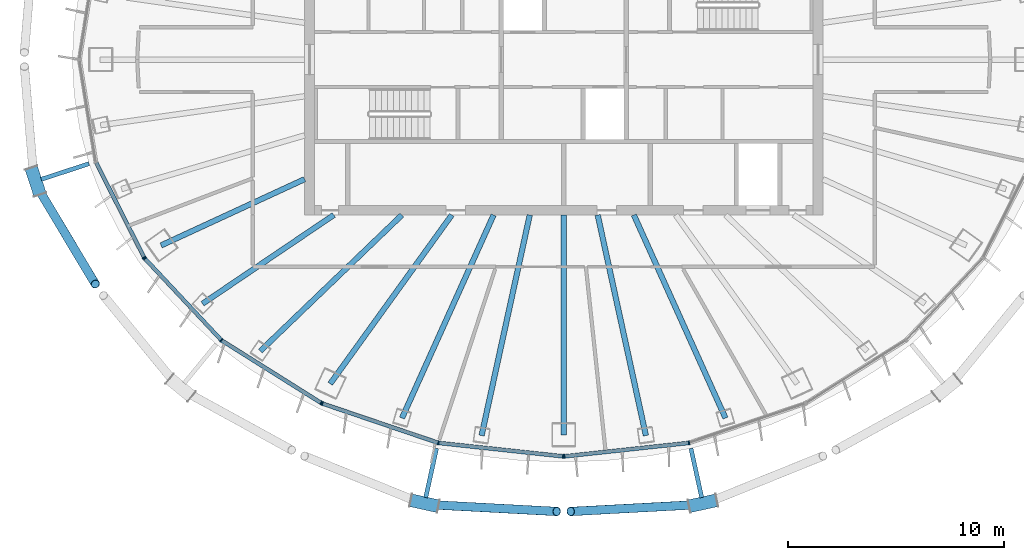
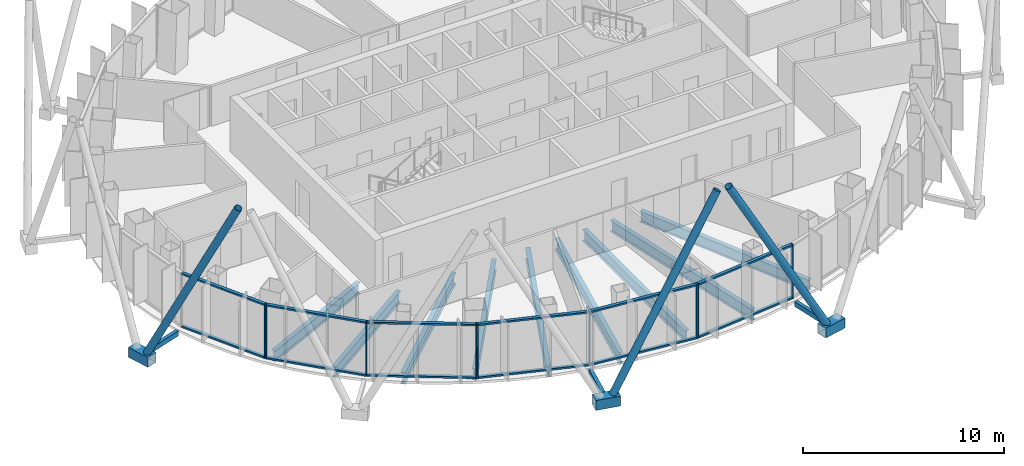
# One storey, part 2 of 18: 30 members, 9 beams, 4 elements without a shape of their own.
"""IFC4 building model written with IfcOpenShell, lengths in metres."""

import ifcopenshell
import ifcopenshell.guid

model = None  # the IFC model being written
_history = None  # IfcOwnerHistory: only IFC2X3 demands one
_inside = {}  # id of a spatial element -> (the spatial element, [elements in it])
_under = {}  # id of a project, library or spatial element -> (it, [spatial elements below it])
_declared = {}  # id of a project -> (the project, [libraries it declares])
_typed = {}  # id of a type object -> (the type object, [elements of that type])
_made_of = {}  # id of a material, layer set ... -> (it, [elements and type objects made of it])


def new_model(schema):
    """Start an empty IFC model of exactly this schema.

    Asked for "IFC4X3", IfcOpenShell would pick the latest addendum, in which some entities
    have other attributes; the version numbers below select the first issue.
    IFC2X3 requires an IfcOwnerHistory on every rooted entity: one is made here for all.
    """
    global model, _history
    if schema == "IFC4X3":
        model = ifcopenshell.file(schema_version=(4, 3, 0, 0))
    else:
        model = ifcopenshell.file(schema=schema)
    _inside.clear()
    _under.clear()
    _declared.clear()
    _typed.clear()
    _made_of.clear()
    _history = None
    if model.schema == "IFC2X3":
        org = make("IfcOrganization", Name="unknown")
        user = make(
            "IfcPersonAndOrganization",
            ThePerson=make("IfcPerson", FamilyName="unknown"),
            TheOrganization=org,
        )
        app = make(
            "IfcApplication",
            ApplicationDeveloper=org,
            Version="unknown",
            ApplicationFullName="unknown",
            ApplicationIdentifier="unknown",
        )
        _history = make(
            "IfcOwnerHistory",
            OwningUser=user,
            OwningApplication=app,
            ChangeAction="ADDED",
            CreationDate=0,
        )
    return model


def make(cls, **values):
    """One entity of the class cls with the attributes given. An attribute that is None is left unset."""
    return model.create_entity(
        cls, **{name: value for name, value in values.items() if value is not None}
    )


def rooted(cls, **values):
    """An entity with a GlobalId (a new one), such as an element, a storey or a relation."""
    return make(cls, GlobalId=ifcopenshell.guid.new(), OwnerHistory=_history, **values)


def si_unit(unit_type, name, prefix=None):
    """IfcSIUnit, for example si_unit("LENGTHUNIT", "METRE", prefix="MILLI")."""
    return make("IfcSIUnit", UnitType=unit_type, Prefix=prefix, Name=name)


def assignment(units):
    """IfcUnitAssignment: the units of a project."""
    return None if units is None else make("IfcUnitAssignment", Units=units)


def point(xyz):
    """IfcCartesianPoint."""
    return None if xyz is None else make("IfcCartesianPoint", Coordinates=xyz)


def direction(xyz):
    """IfcDirection."""
    return None if xyz is None else make("IfcDirection", DirectionRatios=xyz)


def frame(location, z_axis=None, x_axis=None):
    """IfcAxis2Placement3D, a coordinate frame: its origin and axes. An axis left out is left unset."""
    return make(
        "IfcAxis2Placement3D",
        Location=point(location),
        Axis=direction(z_axis),
        RefDirection=direction(x_axis),
    )


def frame_2d(location, x_axis=None):
    """IfcAxis2Placement2D, a coordinate frame in the plane: its origin and x axis."""
    return make(
        "IfcAxis2Placement2D", Location=point(location), RefDirection=direction(x_axis)
    )


def origin():
    """The frame at (0, 0, 0) with its axes left unset."""
    return frame((0.0, 0.0, 0.0))


def origin_2d():
    """The frame at (0, 0) in the plane with its x axis left unset."""
    return frame_2d((0.0, 0.0))


def place(relative_to, where):
    """IfcLocalPlacement: puts the frame where relative to a parent placement (None: the world)."""
    return make(
        "IfcLocalPlacement", PlacementRelTo=relative_to, RelativePlacement=where
    )


def context(
    kind, dimensions, precision=None, world=None, true_north=None, identifier=None
):
    """IfcGeometricRepresentationContext, for example the 3D "Model" context."""
    return make(
        "IfcGeometricRepresentationContext",
        ContextIdentifier=identifier,
        ContextType=kind,
        CoordinateSpaceDimension=dimensions,
        Precision=precision,
        WorldCoordinateSystem=world,
        TrueNorth=true_north,
    )


def subcontext(parent, identifier, kind, view, scale=None):
    """IfcGeometricRepresentationSubContext, for example "Body" below "Model"."""
    return make(
        "IfcGeometricRepresentationSubContext",
        ContextIdentifier=identifier,
        ContextType=kind,
        ParentContext=parent,
        TargetScale=scale,
        TargetView=view,
    )


def project(units=None, contexts=None):
    """IfcProject with its units and contexts."""
    return rooted(
        "IfcProject",
        Name="project",
        RepresentationContexts=contexts,
        UnitsInContext=assignment(units),
    )


def spatial(cls, under=None, at=None, **own):
    """A site, building, storey or space (cls), placed at a placement, below another one or the project."""
    s = rooted(cls, ObjectPlacement=at, **own)
    if under is not None:
        _under.setdefault(under.id(), (under, []))[1].append(s)
    return s


def profile(cls, at=None, kind="AREA", **sizes):
    """A parametric profile (cls). Its sizes go by their IFC names, for example OverallWidth=200.0."""
    return make(cls, ProfileType=kind, Position=at, **sizes)


def rectangle(**sizes):
    """IfcRectangleProfileDef."""
    return profile("IfcRectangleProfileDef", **sizes)


def hollow_rectangle(**sizes):
    """IfcRectangleHollowProfileDef."""
    return profile("IfcRectangleHollowProfileDef", **sizes)


def hollow_circle(**sizes):
    """IfcCircleHollowProfileDef."""
    return profile("IfcCircleHollowProfileDef", **sizes)


def i_section(**sizes):
    """IfcIShapeProfileDef."""
    return profile("IfcIShapeProfileDef", **sizes)


def extrude(swept, where, along, depth):
    """IfcExtrudedAreaSolid: the profile swept, set in the frame where, extruded along a direction by depth."""
    return make(
        "IfcExtrudedAreaSolid",
        SweptArea=swept,
        Position=where,
        ExtrudedDirection=direction(along),
        Depth=depth,
    )


def shape(context_of_items, identifier, shape_type, items):
    """IfcShapeRepresentation: the items that make up one representation, for example the "Body"."""
    return make(
        "IfcShapeRepresentation",
        ContextOfItems=context_of_items,
        RepresentationIdentifier=identifier,
        RepresentationType=shape_type,
        Items=items,
    )


def material(Name=None, Category=None):
    """IfcMaterial."""
    return make("IfcMaterial", Name=Name, Category=Category)


def layer(
    of_material, thickness, ventilated=None, Name=None, Category=None, Priority=None
):
    """IfcMaterialLayer: one layer of a wall or slab, of a material (None: an air gap)."""
    return make(
        "IfcMaterialLayer",
        Material=of_material,
        LayerThickness=thickness,
        IsVentilated=ventilated,
        Name=Name,
        Category=Category,
        Priority=Priority,
    )


def layer_set(layers, Name=None):
    """IfcMaterialLayerSet."""
    return make("IfcMaterialLayerSet", MaterialLayers=layers, LayerSetName=Name)


def material_profile(
    of_material, cross_section, Name=None, Category=None, Priority=None
):
    """IfcMaterialProfile: a cross section and its material."""
    return make(
        "IfcMaterialProfile",
        Name=Name,
        Material=of_material,
        Profile=cross_section,
        Priority=Priority,
        Category=Category,
    )


def profile_set(profiles, Name=None, composite=None):
    """IfcMaterialProfileSet."""
    return make(
        "IfcMaterialProfileSet",
        Name=Name,
        MaterialProfiles=profiles,
        CompositeProfile=composite,
    )


def made_of(thing, what):
    """Note that an element or type object is made of a material, layer set ...; save() writes the relation."""
    if what is not None:
        _made_of.setdefault(what.id(), (what, []))[1].append(thing)
    return thing


def type_object(cls, material=None, **own):
    """A type object (cls), such as IfcWallType, which elements share."""
    return made_of(rooted(cls, **own), material)


def element(
    cls,
    number,
    at=None,
    inside=None,
    cuts=None,
    type_object=None,
    material=None,
    context=None,
    identifier="Body",
    shape_type=None,
    held_by="IfcProductDefinitionShape",
    body=None,
    shapes=None,
    **own,
):
    """One element of the class cls, such as IfcWall. Its Tag is "e" and its number.

    at: its placement. inside: the storey or other place that contains it. cuts: it is an
    opening in that element (IfcRelVoidsElement). A single representation is given by context,
    identifier, shape_type and body (its items); several are given by shapes. held_by: the class
    of the entity that holds the representations. save() writes the other relations.
    """
    e = rooted(cls, Tag="e%d" % number, ObjectPlacement=at, **own)
    if body is not None:
        shapes = [shape(context, identifier, shape_type, body)]
    if shapes is not None:
        e.Representation = make(held_by, Representations=shapes)
    if inside is not None:
        _inside.setdefault(inside.id(), (inside, []))[1].append(e)
    if cuts is not None:
        rooted(
            "IfcRelVoidsElement", RelatingBuildingElement=cuts, RelatedOpeningElement=e
        )
    if type_object is not None:
        _typed.setdefault(type_object.id(), (type_object, []))[1].append(e)
    return made_of(e, material)


def aggregate(whole, parts):
    """IfcRelAggregates: a whole, such as a stair, and the parts it consists of."""
    return rooted("IfcRelAggregates", RelatingObject=whole, RelatedObjects=parts)


def save(model, path):
    """Write the relations noted so far, then the file.

    IfcRelAggregates (storeys below a building ...), IfcRelContainedInSpatialStructure (elements
    in a storey), IfcRelDefinesByType, IfcRelAssociatesMaterial and IfcRelDeclares: one each for
    every whole, place, type object, material and project.
    """
    for whole, parts in _under.values():
        aggregate(whole, parts)
    for where, things in _inside.values():
        rooted(
            "IfcRelContainedInSpatialStructure",
            RelatedElements=things,
            RelatingStructure=where,
        )
    for kind, things in _typed.values():
        rooted("IfcRelDefinesByType", RelatedObjects=things, RelatingType=kind)
    for what, things in _made_of.values():
        rooted("IfcRelAssociatesMaterial", RelatedObjects=things, RelatingMaterial=what)
    for by, libraries in _declared.values():
        rooted("IfcRelDeclares", RelatingContext=by, RelatedDefinitions=libraries)
    model.write(path)


model = new_model("IFC4")

# Units and contexts
model_context = context("Model", 3, precision=1e-05, world=origin(), true_north=direction((0.0, 1.0)))
body_context = subcontext(model_context, "Body", "Model", "MODEL_VIEW")
ifc_project = project(units=[si_unit("LENGTHUNIT", "METRE"), si_unit("AREAUNIT", "SQUARE_METRE"), si_unit("VOLUMEUNIT", "CUBIC_METRE"), si_unit("PLANEANGLEUNIT", "RADIAN"), si_unit("MASSUNIT", "GRAM", prefix="KILO")], contexts=[model_context])

# Site, building, storey
site_placement = place(None, origin())
site = spatial("IfcSite", under=ifc_project, at=site_placement, CompositionType="ELEMENT")
building_placement = place(site_placement, origin())
building = spatial("IfcBuilding", under=site, at=building_placement, Name="Siaravel Broadcast Tower", CompositionType="ELEMENT")
storey_placement = place(building_placement, frame((0.0, 0.0, 201.5)))
storey = spatial("IfcBuildingStorey", under=building, at=storey_placement, Name="L49", CompositionType="ELEMENT", Elevation=201.5)

# Beams
ifc_material_1 = material(Name="Steel S355", Category="steel")
ifc_material_profile_1 = material_profile(ifc_material_1, i_section(OverallWidth=0.2529296875, OverallDepth=0.677978515625, WebThickness=0.01171875, FlangeThickness=0.01611328125, FilletRadius=0.01513671875, at=origin_2d()))
ifc_profile_set_1 = profile_set([ifc_material_profile_1], Name="Steel S355")
beam_type = type_object("IfcBeamType", Name="BM-UB 686x254x125", PredefinedType="BEAM", material=ifc_profile_set_1)
beam_1_placement = place(storey_placement, frame((-18.6455078125, -8.609130859375, -0.489013671875), z_axis=(0.907896897, 0.419193541, 0.0), x_axis=(-0.419193541, 0.907896897, 0.0)))
element("IfcBeam", 1, at=beam_1_placement, inside=storey, type_object=beam_type, Name="Radial beam RB22", PredefinedType="BEAM", context=body_context, shape_type="SweptSolid", body=[
    extrude(i_section(OverallWidth=0.2529296875, OverallDepth=0.677978515625, WebThickness=0.01171875, FlangeThickness=0.01611328125, FilletRadius=0.01513671875, at=origin_2d()), origin(), (0.0, 0.0, 1.0), 7.319580078125),
])
beam_2_placement = place(storey_placement, frame((-16.7294921875, -11.31005859375, -0.489013671875), z_axis=(0.82844504, 0.560070366, 0.0), x_axis=(-0.560070366, 0.82844504, 0.0)))
element("IfcBeam", 2, at=beam_2_placement, inside=storey, type_object=beam_type, Name="Radial beam RB23", PredefinedType="BEAM", context=body_context, shape_type="SweptSolid", body=[
    extrude(i_section(OverallWidth=0.2529296875, OverallDepth=0.677978515625, WebThickness=0.01171875, FlangeThickness=0.01611328125, FilletRadius=0.01513671875, at=origin_2d()), origin(), (0.0, 0.0, 1.0), 7.338623046875),
])
beam_3_placement = place(storey_placement, frame((-14.053466796875, -13.501708984375, -0.489013671875), z_axis=(0.721123378, 0.692806664, 0.0), x_axis=(-0.692806664, 0.721123378, 0.0)))
element("IfcBeam", 3, at=beam_3_placement, inside=storey, type_object=beam_type, Name="Radial beam RB24", PredefinedType="BEAM", context=body_context, shape_type="SweptSolid", body=[
    extrude(i_section(OverallWidth=0.2529296875, OverallDepth=0.677978515625, WebThickness=0.01171875, FlangeThickness=0.01611328125, FilletRadius=0.01513671875, at=origin_2d()), origin(), (0.0, 0.0, 1.0), 9.095947265625),
])
beam_4_placement = place(storey_placement, frame((-10.813720703125, -15.014892578125, -0.489013671875), z_axis=(0.584401555, 0.811464616, 0.0), x_axis=(-0.811464616, 0.584401555, 0.0)))
element("IfcBeam", 4, at=beam_4_placement, inside=storey, type_object=beam_type, Name="Radial beam RB25", PredefinedType="BEAM", context=body_context, shape_type="SweptSolid", body=[
    extrude(i_section(OverallWidth=0.2529296875, OverallDepth=0.677978515625, WebThickness=0.01171875, FlangeThickness=0.01611328125, FilletRadius=0.01513671875, at=origin_2d()), origin(), (0.0, 0.0, 1.0), 9.630615234375),
])
beam_5_placement = place(storey_placement, frame((-7.490234375, -16.6044921875, -0.489013671875), z_axis=(0.411201831, 0.911544324, 0.0), x_axis=(-0.911544324, 0.411201831, 0.0)))
element("IfcBeam", 5, at=beam_5_placement, inside=storey, type_object=beam_type, Name="Radial beam RB26", PredefinedType="BEAM", context=body_context, shape_type="SweptSolid", body=[
    extrude(i_section(OverallWidth=0.2529296875, OverallDepth=0.677978515625, WebThickness=0.01171875, FlangeThickness=0.01611328125, FilletRadius=0.01513671875, at=origin_2d()), origin(), (0.0, 0.0, 1.0), 10.317138671875),
])
beam_6_placement = place(storey_placement, frame((-3.8046875, -17.413330078125, -0.489013671875), z_axis=(0.213469829, 0.976949657, 0.0), x_axis=(-0.976949657, 0.213469829, 0.0)))
element("IfcBeam", 6, at=beam_6_placement, inside=storey, type_object=beam_type, Name="Radial beam RB27", PredefinedType="BEAM", context=body_context, shape_type="SweptSolid", body=[
    extrude(i_section(OverallWidth=0.2529296875, OverallDepth=0.677978515625, WebThickness=0.01171875, FlangeThickness=0.01611328125, FilletRadius=0.01513671875, at=origin_2d()), origin(), (0.0, 0.0, 1.0), 10.454345703125),
])
beam_7_placement = place(storey_placement, frame((0.0, -17.385986328125, -0.489013671875), z_axis=(0.0, 1.0, 0.0), x_axis=(-1.0, 0.0, 0.0)))
element("IfcBeam", 7, at=beam_7_placement, inside=storey, type_object=beam_type, Name="Radial beam RB28", PredefinedType="BEAM", context=body_context, shape_type="SweptSolid", body=[
    extrude(i_section(OverallWidth=0.2529296875, OverallDepth=0.677978515625, WebThickness=0.01171875, FlangeThickness=0.01611328125, FilletRadius=0.01513671875, at=origin_2d()), origin(), (0.0, 0.0, 1.0), 10.18603515625),
])
beam_8_placement = place(storey_placement, frame((3.8046875, -17.413330078125, -0.489013671875), z_axis=(-0.213469829, 0.976949657, 0.0), x_axis=(-0.976949657, -0.213469829, 0.0)))
element("IfcBeam", 8, at=beam_8_placement, inside=storey, type_object=beam_type, Name="Radial beam RB29", PredefinedType="BEAM", context=body_context, shape_type="SweptSolid", body=[
    extrude(i_section(OverallWidth=0.2529296875, OverallDepth=0.677978515625, WebThickness=0.01171875, FlangeThickness=0.01611328125, FilletRadius=0.01513671875, at=origin_2d()), origin(), (0.0, 0.0, 1.0), 10.454345703125),
])
beam_9_placement = place(storey_placement, frame((7.490234375, -16.6044921875, -0.489013671875), z_axis=(-0.411201831, 0.911544324, 0.0), x_axis=(-0.911544324, -0.411201831, 0.0)))
element("IfcBeam", 9, at=beam_9_placement, inside=storey, type_object=beam_type, Name="Radial beam RB30", PredefinedType="BEAM", context=body_context, shape_type="SweptSolid", body=[
    extrude(i_section(OverallWidth=0.2529296875, OverallDepth=0.677978515625, WebThickness=0.01171875, FlangeThickness=0.01611328125, FilletRadius=0.01513671875, at=origin_2d()), origin(), (0.0, 0.0, 1.0), 10.317138671875),
])

# Curtain wall, member
ifc_material_2 = material(Name="Aluminium 6063-T6", Category="aluminium")
ifc_layer = layer(ifc_material_2, 0.179931640625)
ifc_layer_set = layer_set([ifc_layer], Name="Aluminium 6063-T6")
curtain_wall_type = type_object("IfcCurtainWallType", Name="Unitised curtain wall, zone 3", PredefinedType="NOTDEFINED", material=ifc_layer_set)
curtain_wall_1_placement = place(storey_placement, origin())
curtain_wall_1 = element("IfcCurtainWall", 10, at=curtain_wall_1_placement, inside=storey, type_object=curtain_wall_type, Name="L49 Unitised curtain wall, zone 3 07", PredefinedType="NOTDEFINED")
ifc_material_profile_2 = material_profile(ifc_material_2, rectangle(XDim=0.179931640625, YDim=0.06005859375, at=origin_2d()))
ifc_profile_set_2 = profile_set([ifc_material_profile_2], Name="Aluminium 6063-T6")
member_type_1 = type_object("IfcMemberType", Name="CW-Z3 mullion", PredefinedType="MULLION", material=ifc_profile_set_2)
member_1_placement = place(storey_placement, frame((-19.4326171875, -9.166259765625, 0.0), z_axis=(0.0, 0.0, 1.0), x_axis=(0.892393176, 0.451258705, 0.0)))
member_1 = element("IfcMember", 11, at=member_1_placement, type_object=member_type_1, Name="CW-Z3 mullion 3", PredefinedType="MULLION", context=body_context, shape_type="SweptSolid", body=[
    extrude(rectangle(XDim=0.179931640625, YDim=0.06005859375, at=origin_2d()), origin(), (0.0, 0.0, 1.0), 3.300048828125),
])

# Curtain wall, members
curtain_wall_2_placement = place(storey_placement, origin())
curtain_wall_2 = element("IfcCurtainWall", 12, at=curtain_wall_2_placement, inside=storey, type_object=curtain_wall_type, Name="L49 Unitised curtain wall, zone 3 08", PredefinedType="NOTDEFINED")
member_2_placement = place(storey_placement, frame((-19.398681640625, -9.215087890625, 0.0), z_axis=(0.0, 0.0, 1.0), x_axis=(0.729807165, 0.683653057, 0.0)))
member_2 = element("IfcMember", 13, at=member_2_placement, type_object=member_type_1, Name="CW-Z3 mullion 1", PredefinedType="MULLION", context=body_context, shape_type="SweptSolid", body=[
    extrude(rectangle(XDim=0.179931640625, YDim=0.06005859375, at=origin_2d()), origin(), (0.0, 0.0, 1.0), 3.300048828125),
])
member_3_placement = place(storey_placement, frame((-15.85400390625, -12.9990234375, 0.0), z_axis=(0.0, 0.0, 1.0), x_axis=(0.636220651, 0.77150715, 0.0)))
member_3 = element("IfcMember", 14, at=member_3_placement, type_object=member_type_1, Name="CW-Z3 mullion 2", PredefinedType="MULLION", context=body_context, shape_type="SweptSolid", body=[
    extrude(rectangle(XDim=0.179931640625, YDim=0.06005859375, at=origin_2d()), origin(), (0.0, 0.0, 1.0), 3.300048828125),
])
member_4_placement = place(storey_placement, frame((-11.23486328125, -15.90234375, 0.0), z_axis=(0.0, 0.0, 1.0), x_axis=(0.532151271, 0.846649293, 0.0)))
member_4 = element("IfcMember", 15, at=member_4_placement, type_object=member_type_1, Name="CW-Z3 mullion 3", PredefinedType="MULLION", context=body_context, shape_type="SweptSolid", body=[
    extrude(rectangle(XDim=0.179931640625, YDim=0.06005859375, at=origin_2d()), origin(), (0.0, 0.0, 1.0), 3.300048828125),
])

curtain_wall_3_placement = place(storey_placement, origin())
curtain_wall_3 = element("IfcCurtainWall", 16, at=curtain_wall_3_placement, inside=storey, type_object=curtain_wall_type, Name="L49 Unitised curtain wall, zone 3 09", PredefinedType="NOTDEFINED")
member_5_placement = place(storey_placement, frame((-11.180908203125, -15.927978515625, 0.0), z_axis=(0.0, 0.0, 1.0), x_axis=(0.321302122, 0.94697674, 0.0)))
member_5 = element("IfcMember", 17, at=member_5_placement, type_object=member_type_1, Name="CW-Z3 mullion 1", PredefinedType="MULLION", context=body_context, shape_type="SweptSolid", body=[
    extrude(rectangle(XDim=0.179931640625, YDim=0.06005859375, at=origin_2d()), origin(), (0.0, 0.0, 1.0), 3.300048828125),
])
member_6_placement = place(storey_placement, frame((-5.802001953125, -17.7529296875, 0.0), z_axis=(0.0, 0.0, 1.0), x_axis=(0.215559108, 0.976490794, 0.0)))
member_6 = element("IfcMember", 18, at=member_6_placement, type_object=member_type_1, Name="CW-Z3 mullion 2", PredefinedType="MULLION", context=body_context, shape_type="SweptSolid", body=[
    extrude(rectangle(XDim=0.179931640625, YDim=0.06005859375, at=origin_2d()), origin(), (0.0, 0.0, 1.0), 3.300048828125),
])
member_7_placement = place(storey_placement, frame((-0.02978515625, -18.37548828125, 0.0), z_axis=(0.0, 0.0, 1.0), x_axis=(0.107218032, 0.994235532, 0.0)))
member_7 = element("IfcMember", 19, at=member_7_placement, type_object=member_type_1, Name="CW-Z3 mullion 3", PredefinedType="MULLION", context=body_context, shape_type="SweptSolid", body=[
    extrude(rectangle(XDim=0.179931640625, YDim=0.06005859375, at=origin_2d()), origin(), (0.0, 0.0, 1.0), 3.300048828125),
])

curtain_wall_4_placement = place(storey_placement, origin())
curtain_wall_4 = element("IfcCurtainWall", 20, at=curtain_wall_4_placement, inside=storey, type_object=curtain_wall_type, Name="L49 Unitised curtain wall, zone 3 10", PredefinedType="NOTDEFINED")
member_8_placement = place(storey_placement, frame((0.02978515625, -18.37548828125, 0.0), z_axis=(0.0, 0.0, 1.0), x_axis=(-0.107218032, 0.994235532, 0.0)))
member_8 = element("IfcMember", 21, at=member_8_placement, type_object=member_type_1, Name="CW-Z3 mullion 1", PredefinedType="MULLION", context=body_context, shape_type="SweptSolid", body=[
    extrude(rectangle(XDim=0.179931640625, YDim=0.06005859375, at=origin_2d()), origin(), (0.0, 0.0, 1.0), 3.300048828125),
])
member_9_placement = place(storey_placement, frame((5.802001953125, -17.7529296875, 0.0), z_axis=(0.0, 0.0, 1.0), x_axis=(-0.215559108, 0.976490794, 0.0)))
member_9 = element("IfcMember", 22, at=member_9_placement, type_object=member_type_1, Name="CW-Z3 mullion 2", PredefinedType="MULLION", context=body_context, shape_type="SweptSolid", body=[
    extrude(rectangle(XDim=0.179931640625, YDim=0.06005859375, at=origin_2d()), origin(), (0.0, 0.0, 1.0), 3.300048828125),
])

# Member
ifc_material_profile_3 = material_profile(ifc_material_2, rectangle(XDim=0.179931640625, YDim=0.10009765625, at=origin_2d()))
ifc_profile_set_3 = profile_set([ifc_material_profile_3], Name="Aluminium 6063-T6")
member_type_2 = type_object("IfcMemberType", Name="CW-Z3 transom", PredefinedType="USERDEFINED", material=ifc_profile_set_3)
member_10_placement = place(storey_placement, frame((-21.647705078125, -4.7861328125, 0.050048828125), z_axis=(0.451252633, -0.892396247, 0.0), x_axis=(0.892396247, 0.451252633, 0.0)))
member_10 = element("IfcMember", 23, at=member_10_placement, type_object=member_type_2, Name="CW-Z3 transom 2", ObjectType="TRANSOM", PredefinedType="USERDEFINED", context=body_context, shape_type="SweptSolid", body=[
    extrude(rectangle(XDim=0.179931640625, YDim=0.10009765625, at=origin_2d()), origin(), (0.0, 0.0, 1.0), 4.87841796875),
])

member_11_placement = place(storey_placement, frame((-21.647705078125, -4.7861328125, 3.25), z_axis=(0.451252633, -0.892396247, 0.0), x_axis=(0.892396247, 0.451252633, 0.0)))
member_11 = element("IfcMember", 24, at=member_11_placement, type_object=member_type_2, Name="CW-Z3 transom 2", ObjectType="TRANSOM", PredefinedType="USERDEFINED", context=body_context, shape_type="SweptSolid", body=[
    extrude(rectangle(XDim=0.179931640625, YDim=0.10009765625, at=origin_2d()), origin(), (0.0, 0.0, 1.0), 4.87841796875),
])

aggregate(curtain_wall_1, [member_1, member_10, member_11])

member_12_placement = place(storey_placement, frame((-19.378173828125, -9.23681640625, 0.050048828125), z_axis=(0.683649503, -0.729810494, 0.0), x_axis=(0.729810494, 0.683649503, 0.0)))
member_12 = element("IfcMember", 25, at=member_12_placement, type_object=member_type_2, Name="CW-Z3 transom 1", ObjectType="TRANSOM", PredefinedType="USERDEFINED", context=body_context, shape_type="SweptSolid", body=[
    extrude(rectangle(XDim=0.179931640625, YDim=0.10009765625, at=origin_2d()), origin(), (0.0, 0.0, 1.0), 5.125),
])

member_13_placement = place(storey_placement, frame((-19.378173828125, -9.23681640625, 3.25), z_axis=(0.683649503, -0.729810494, 0.0), x_axis=(0.729810494, 0.683649503, 0.0)))
member_13 = element("IfcMember", 26, at=member_13_placement, type_object=member_type_2, Name="CW-Z3 transom 1", ObjectType="TRANSOM", PredefinedType="USERDEFINED", context=body_context, shape_type="SweptSolid", body=[
    extrude(rectangle(XDim=0.179931640625, YDim=0.10009765625, at=origin_2d()), origin(), (0.0, 0.0, 1.0), 5.125),
])

member_14_placement = place(storey_placement, frame((-15.82861328125, -13.014892578125, 0.050048828125), z_axis=(0.84665344, -0.532144672, 0.0), x_axis=(0.532144672, 0.84665344, 0.0)))
member_14 = element("IfcMember", 27, at=member_14_placement, type_object=member_type_2, Name="CW-Z3 transom 2", ObjectType="TRANSOM", PredefinedType="USERDEFINED", context=body_context, shape_type="SweptSolid", body=[
    extrude(rectangle(XDim=0.179931640625, YDim=0.10009765625, at=origin_2d()), origin(), (0.0, 0.0, 1.0), 5.395751953125),
])

member_15_placement = place(storey_placement, frame((-15.82861328125, -13.014892578125, 3.25), z_axis=(0.84665344, -0.532144672, 0.0), x_axis=(0.532144672, 0.84665344, 0.0)))
member_15 = element("IfcMember", 28, at=member_15_placement, type_object=member_type_2, Name="CW-Z3 transom 2", ObjectType="TRANSOM", PredefinedType="USERDEFINED", context=body_context, shape_type="SweptSolid", body=[
    extrude(rectangle(XDim=0.179931640625, YDim=0.10009765625, at=origin_2d()), origin(), (0.0, 0.0, 1.0), 5.395751953125),
])

aggregate(curtain_wall_2, [member_2, member_3, member_4, member_12, member_13, member_14, member_15])

member_16_placement = place(storey_placement, frame((-11.152587890625, -15.9375, 0.050048828125), z_axis=(0.946966662, -0.321331823, 0.0), x_axis=(0.321331823, 0.946966662, 0.0)))
member_16 = element("IfcMember", 29, at=member_16_placement, type_object=member_type_2, Name="CW-Z3 transom 1", ObjectType="TRANSOM", PredefinedType="USERDEFINED", context=body_context, shape_type="SweptSolid", body=[
    extrude(rectangle(XDim=0.179931640625, YDim=0.10009765625, at=origin_2d()), origin(), (0.0, 0.0, 1.0), 5.6201171875),
])

member_17_placement = place(storey_placement, frame((-11.152587890625, -15.9375, 3.25), z_axis=(0.946966662, -0.321331823, 0.0), x_axis=(0.321331823, 0.946966662, 0.0)))
member_17 = element("IfcMember", 30, at=member_17_placement, type_object=member_type_2, Name="CW-Z3 transom 1", ObjectType="TRANSOM", PredefinedType="USERDEFINED", context=body_context, shape_type="SweptSolid", body=[
    extrude(rectangle(XDim=0.179931640625, YDim=0.10009765625, at=origin_2d()), origin(), (0.0, 0.0, 1.0), 5.6201171875),
])

member_18_placement = place(storey_placement, frame((-5.772216796875, -17.756103515625, 0.050048828125), z_axis=(0.994232056, -0.107250265, 0.0), x_axis=(0.107250265, 0.994232056, 0.0)))
member_18 = element("IfcMember", 31, at=member_18_placement, type_object=member_type_2, Name="CW-Z3 transom 2", ObjectType="TRANSOM", PredefinedType="USERDEFINED", context=body_context, shape_type="SweptSolid", body=[
    extrude(rectangle(XDim=0.179931640625, YDim=0.10009765625, at=origin_2d()), origin(), (0.0, 0.0, 1.0), 5.74560546875),
])

member_19_placement = place(storey_placement, frame((-5.772216796875, -17.756103515625, 3.25), z_axis=(0.994232056, -0.107250265, 0.0), x_axis=(0.107250265, 0.994232056, 0.0)))
member_19 = element("IfcMember", 32, at=member_19_placement, type_object=member_type_2, Name="CW-Z3 transom 2", ObjectType="TRANSOM", PredefinedType="USERDEFINED", context=body_context, shape_type="SweptSolid", body=[
    extrude(rectangle(XDim=0.179931640625, YDim=0.10009765625, at=origin_2d()), origin(), (0.0, 0.0, 1.0), 5.74560546875),
])

aggregate(curtain_wall_3, [member_5, member_6, member_7, member_16, member_17, member_18, member_19])

member_20_placement = place(storey_placement, frame((0.059814453125, -18.372314453125, 0.050048828125), z_axis=(0.994232056, 0.107250265, 0.0), x_axis=(-0.107250265, 0.994232056, 0.0)))
member_20 = element("IfcMember", 33, at=member_20_placement, type_object=member_type_2, Name="CW-Z3 transom 1", ObjectType="TRANSOM", PredefinedType="USERDEFINED", context=body_context, shape_type="SweptSolid", body=[
    extrude(rectangle(XDim=0.179931640625, YDim=0.10009765625, at=origin_2d()), origin(), (0.0, 0.0, 1.0), 5.74560546875),
])

member_21_placement = place(storey_placement, frame((0.059814453125, -18.372314453125, 3.25), z_axis=(0.994232056, 0.107250265, 0.0), x_axis=(-0.107250265, 0.994232056, 0.0)))
member_21 = element("IfcMember", 34, at=member_21_placement, type_object=member_type_2, Name="CW-Z3 transom 1", ObjectType="TRANSOM", PredefinedType="USERDEFINED", context=body_context, shape_type="SweptSolid", body=[
    extrude(rectangle(XDim=0.179931640625, YDim=0.10009765625, at=origin_2d()), origin(), (0.0, 0.0, 1.0), 5.74560546875),
])

aggregate(curtain_wall_4, [member_8, member_9, member_20, member_21])

# Members
ifc_material_3 = material(Name="Steel S460", Category="steel")
ifc_material_profile_4 = material_profile(ifc_material_3, hollow_circle(Radius=0.203125, WallThickness=0.01611328125, at=origin_2d()))
ifc_profile_set_4 = profile_set([ifc_material_profile_4], Name="Steel S460")
member_type_3 = type_object("IfcMemberType", Name="Diagrid diagonal CHS 406.4x16", PredefinedType="BRACE", material=ifc_profile_set_4)
member_22_placement = place(storey_placement, frame((-24.355224609375, -5.941162109375, 0.070068359375), z_axis=(0.226514852, -0.378714243, 0.897366449), x_axis=(0.858205618, 0.513306066, 0.0)))
element("IfcMember", 35, at=member_22_placement, inside=storey, type_object=member_type_3, Name="Diagrid diagonal R20 station 39A", PredefinedType="BRACE", context=body_context, shape_type="SweptSolid", body=[
    extrude(hollow_circle(Radius=0.203125, WallThickness=0.01611328125, at=origin_2d()), origin(), (0.0, 0.0, 1.0), 11.767578125),
])
for number, where, z_axis, x_axis, name in (
    (36, (-6.132080078125, -20.616943359375, 0.070068359375), (0.481801893, -0.025859996, 0.875898508), (0.053596358, 0.998562682, 0.0), "Diagrid diagonal R20 station 51A"),
    (37, (6.132080078125, -20.616943359375, 0.070068359375), (-0.481801893, -0.025859996, 0.875898508), (0.053596358, -0.998562682, 0.0), "Diagrid diagonal R20 station 57C"),
):
    element("IfcMember", number, at=place(storey_placement, frame(where, z_axis=z_axis, x_axis=x_axis)), inside=storey, type_object=member_type_3, Name=name, PredefinedType="BRACE", context=body_context, shape_type="SweptSolid", body=[
        extrude(hollow_circle(Radius=0.203125, WallThickness=0.01611328125, at=origin_2d()), origin(), (0.0, 0.0, 1.0), 12.055908203125),
    ])
ifc_material_profile_5 = material_profile(ifc_material_3, hollow_rectangle(XDim=0.60009765625, YDim=0.60009765625, WallThickness=0.031982421875, at=origin_2d()))
ifc_profile_set_5 = profile_set([ifc_material_profile_5], Name="Steel S460")
member_type_4 = type_object("IfcMemberType", Name="Diagrid node BOX 600x600x32", PredefinedType="USERDEFINED", material=ifc_profile_set_5)
for number, where, z_axis, x_axis, name in (
    (38, (-24.656982421875, -5.018798828125, -0.199951171875), (0.310843783, -0.950461016, 0.0), (0.950461016, 0.310843783, 0.0), "Diagrid node R20 station 39"),
    (39, (-7.079833984375, -20.408935546875, -0.199951171875), (0.976782892, -0.21423161, 0.0), (0.21423161, 0.976782892, 0.0), "Diagrid node R20 station 51"),
    (40, (5.81640625, -20.68603515625, -0.199951171875), (0.976782892, 0.21423161, 0.0), (-0.21423161, 0.976782892, 0.0), "Diagrid node R20 station 57"),
):
    element("IfcMember", number, at=place(storey_placement, frame(where, z_axis=z_axis, x_axis=x_axis)), inside=storey, type_object=member_type_4, Name=name, ObjectType="DIAGRID NODE", PredefinedType="USERDEFINED", context=body_context, shape_type="SweptSolid", body=[
        extrude(hollow_rectangle(XDim=0.60009765625, YDim=0.60009765625, WallThickness=0.031982421875, at=origin_2d()), origin(), (0.0, 0.0, 1.0), 1.29345703125),
    ])
ifc_material_profile_6 = material_profile(ifc_material_3, hollow_rectangle(XDim=0.199951171875, YDim=0.300048828125, WallThickness=0.012451171875, at=origin_2d()))
ifc_profile_set_6 = profile_set([ifc_material_profile_6], Name="Steel S460")
member_type_5 = type_object("IfcMemberType", Name="Diagrid node arm RHS 300x200x12.5", PredefinedType="STRUT", material=ifc_profile_set_6)
member_23_placement = place(storey_placement, frame((-21.98486328125, -4.8251953125, -0.199951171875), z_axis=(-0.950439361, -0.310909987, 0.0), x_axis=(0.310909987, -0.950439361, 0.0)))
element("IfcMember", 41, at=member_23_placement, inside=storey, type_object=member_type_5, Name="Node arm R20 station 39", PredefinedType="STRUT", context=body_context, shape_type="SweptSolid", body=[
    extrude(hollow_rectangle(XDim=0.199951171875, YDim=0.300048828125, WallThickness=0.012451171875, at=origin_2d()), origin(), (0.0, 0.0, 1.0), 2.329833984375),
])
for number, where, z_axis, x_axis, name in (
    (42, (-5.890869140625, -18.0078125, -0.199951171875), (-0.214378037, -0.976750765, 0.0), (0.976750765, -0.214378037, 0.0), "Node arm R20 station 51"),
    (43, (5.890869140625, -18.0078125, -0.199951171875), (0.214378037, -0.976750765, 0.0), (0.976750765, 0.214378037, 0.0), "Node arm R20 station 57"),
):
    element("IfcMember", number, at=place(storey_placement, frame(where, z_axis=z_axis, x_axis=x_axis)), inside=storey, type_object=member_type_5, Name=name, PredefinedType="STRUT", context=body_context, shape_type="SweptSolid", body=[
        extrude(hollow_rectangle(XDim=0.199951171875, YDim=0.300048828125, WallThickness=0.012451171875, at=origin_2d()), origin(), (0.0, 0.0, 1.0), 2.330078125),
    ])

save(model, "model.ifc")
